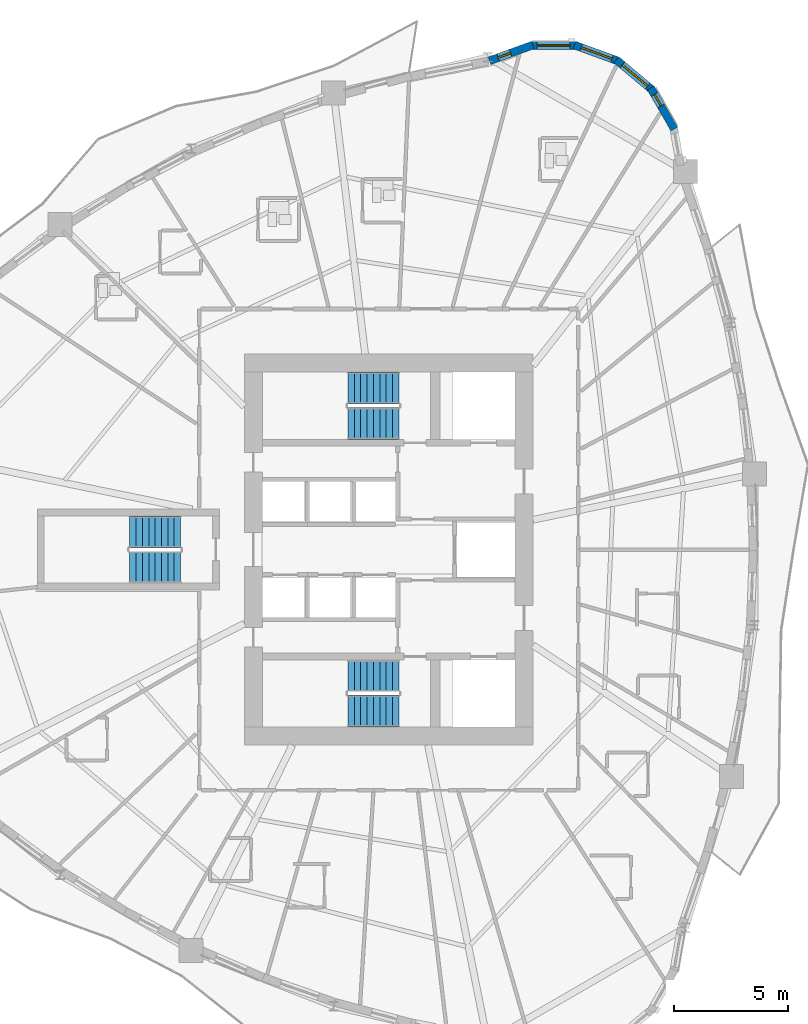
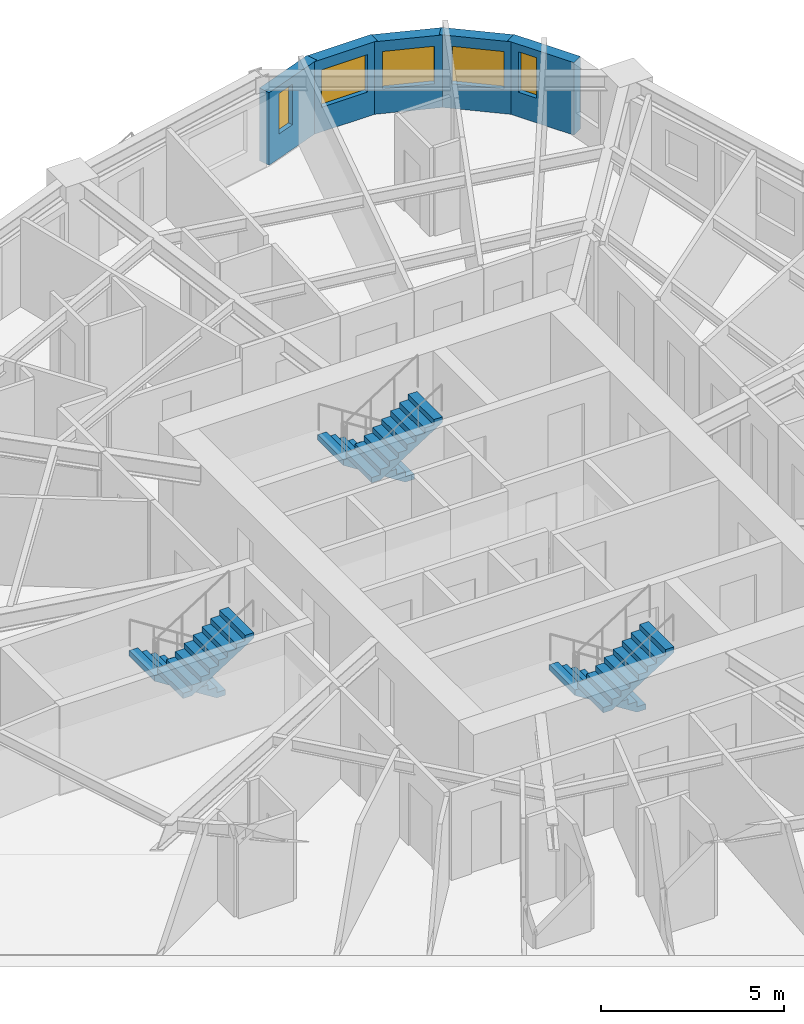
# One storey, part 10 of 14: 6 stair flights, 5 walls, 5 windows, 5 openings, 3 elements without a shape of their own.
"""IFC4 building model written with IfcOpenShell, lengths in metres."""

from ifc_helpers import new_model, si_unit, direction, frame, frame_2d, origin, place, context, subcontext, project, spatial, polyline, rectangle, outline, extrude, source, transform, mapped, material, layer, layer_set, type_object, element, fill, aggregate, save


model = new_model("IFC4")

# Units and contexts
model_context = context("Model", 3, precision=1e-05, world=origin(), true_north=direction((0.0, 1.0)))
body_context = subcontext(model_context, "Body", "Model", "MODEL_VIEW")
ifc_project = project(units=[si_unit("LENGTHUNIT", "METRE"), si_unit("AREAUNIT", "SQUARE_METRE"), si_unit("VOLUMEUNIT", "CUBIC_METRE"), si_unit("PLANEANGLEUNIT", "RADIAN"), si_unit("MASSUNIT", "GRAM", prefix="KILO")], contexts=[model_context])

# Site, building, storey
site_placement = place(None, origin())
site = spatial("IfcSite", under=ifc_project, at=site_placement, CompositionType="ELEMENT")
building_placement = place(site_placement, origin())
building = spatial("IfcBuilding", under=site, at=building_placement, Name="Qafzar Sky-Pleat Residences", CompositionType="ELEMENT")
storey_placement = place(building_placement, frame((0.0, 0.0, 14.199951171875)))
storey = spatial("IfcBuildingStorey", under=building, at=storey_placement, Name="L03", CompositionType="ELEMENT", Elevation=14.199951171875)

# Wall, opening, window
ifc_material_1 = material(Name="Precast concrete C40/50 with honed Riyadh limestone", Category="concrete")
ifc_layer = layer(ifc_material_1, 0.35009765625)
ifc_layer_set = layer_set([ifc_layer], Name="Precast concrete C40/50 with honed Riyadh limestone")
wall_type = type_object("IfcWallType", Name="WALL-EXT-350", PredefinedType="SOLIDWALL", material=ifc_layer_set)
wall_1_placement = place(storey_placement, frame((42.91748046875, 44.490966796875, 0.0), z_axis=(0.0, 0.0, 1.0), x_axis=(-0.49990781971, 0.866078617559, 0.0)))
wall_1 = element("IfcWall", 1, at=wall_1_placement, inside=storey, type_object=wall_type, Name="L03 Limestone Facade Wall 34", PredefinedType="SOLIDWALL", context=body_context, shape_type="SweptSolid", body=[
    extrude(rectangle(XDim=2.09033203125, YDim=0.35009765625, at=frame_2d((1.045166015625, 0.0))), origin(), (0.0, 0.0, 1.0), 2.420166015625),
])
opening_1_placement = place(wall_1_placement, frame((1.17529296875, 0.0, 0.820068359375)))
opening_1 = element("IfcOpeningElement", 2, at=opening_1_placement, cuts=wall_1, Name="Opening WN-17", PredefinedType="OPENING", context=body_context, shape_type="SweptSolid", body=[
    extrude(rectangle(XDim=0.580078125, YDim=1.35009765625, at=frame_2d((0.2900390625, 0.675048828125))), frame((0.0, 0.18505859375, 0.0), z_axis=(0.0, -1.0, 0.0), x_axis=(1.0, 0.0, 0.0)), (0.0, 0.0, 1.0), 0.3701171875),
])
ifc_material_2 = material(Name="Solar-control low-E glass in bronze aluminium frame", Category="glass")
window_type_1 = type_object("IfcWindowType", Name="WIN-17", PartitioningType="SINGLE_PANEL", PredefinedType="WINDOW", material=ifc_material_2)
shared_shape_1 = source(origin(), body_context, "Body", "SweptSolid", [
    extrude(rectangle(XDim=0.580078125, YDim=1.35009765625, at=frame_2d((0.2900390625, 0.675048828125))), frame((0.0, 0.030029296875, 0.0), z_axis=(0.0, -1.0, 0.0), x_axis=(1.0, 0.0, 0.0)), (0.0, 0.0, 1.0), 0.06005859375),
])
window_1_placement = place(opening_1_placement, origin())
window_1 = element("IfcWindow", 3, at=window_1_placement, inside=storey, type_object=window_type_1, Name="L03 Punched Facade Window 34-2", OverallHeight=1.35009765625, OverallWidth=0.580078125, PartitioningType="SINGLE_PANEL", PredefinedType="WINDOW", context=body_context, shape_type="MappedRepresentation", body=[
    mapped(shared_shape_1, transform((0.0, 0.0, 0.0), x_axis=(1.0, 0.0, 0.0), y_axis=(0.0, 1.0, 0.0), z_axis=(0.0, 0.0, 1.0), scale=1.0)),
])
fill(opening_1, window_1)

wall_2_placement = place(storey_placement, frame((41.959716796875, 46.197509765625, 0.0), z_axis=(0.0, 0.0, 1.0), x_axis=(-0.766082082368, 0.642742750308, 0.0)))
wall_2 = element("IfcWall", 4, at=wall_2_placement, inside=storey, type_object=wall_type, Name="L03 Limestone Facade Wall 35", PredefinedType="SOLIDWALL", context=body_context, shape_type="SweptSolid", body=[
    extrude(rectangle(XDim=2.09033203125, YDim=0.35009765625, at=frame_2d((1.045166015625, 0.0))), origin(), (0.0, 0.0, 1.0), 2.420166015625),
])
opening_2_placement = place(wall_2_placement, frame((0.287353515625, 0.0, 0.820068359375)))
opening_2 = element("IfcOpeningElement", 5, at=opening_2_placement, cuts=wall_2, Name="Opening WN-15", PredefinedType="OPENING", context=body_context, shape_type="SweptSolid", body=[
    extrude(rectangle(XDim=1.449951171875, YDim=1.25, at=frame_2d((0.72509765625, 0.625))), frame((0.0, 0.18505859375, 0.0), z_axis=(0.0, -1.0, 0.0), x_axis=(1.0, 0.0, 0.0)), (0.0, 0.0, 1.0), 0.3701171875),
])
window_type_2 = type_object("IfcWindowType", Name="WIN-15", PartitioningType="SINGLE_PANEL", PredefinedType="WINDOW", material=ifc_material_2)
shared_shape_2 = source(origin(), body_context, "Body", "SweptSolid", [
    extrude(rectangle(XDim=1.449951171875, YDim=1.25, at=frame_2d((0.72509765625, 0.625))), frame((0.0, 0.030029296875, 0.0), z_axis=(0.0, -1.0, 0.0), x_axis=(1.0, 0.0, 0.0)), (0.0, 0.0, 1.0), 0.06005859375),
])
window_2_placement = place(opening_2_placement, origin())
window_2 = element("IfcWindow", 6, at=window_2_placement, inside=storey, type_object=window_type_2, Name="L03 Punched Facade Window 35", OverallHeight=1.25, OverallWidth=1.449951171875, PartitioningType="SINGLE_PANEL", PredefinedType="WINDOW", context=body_context, shape_type="MappedRepresentation", body=[
    mapped(shared_shape_2, transform((0.0, 0.0, 0.0), x_axis=(1.0, 0.0, 0.0), y_axis=(0.0, 1.0, 0.0), z_axis=(0.0, 0.0, 1.0), scale=1.0)),
])
fill(opening_2, window_2)

wall_3_placement = place(storey_placement, frame((40.475830078125, 47.47314453125, 0.0), z_axis=(0.0, 0.0, 1.0), x_axis=(-0.939660353162, 0.342108784886, 0.0)))
wall_3 = element("IfcWall", 7, at=wall_3_placement, inside=storey, type_object=wall_type, Name="L03 Limestone Facade Wall 36", PredefinedType="SOLIDWALL", context=body_context, shape_type="SweptSolid", body=[
    extrude(rectangle(XDim=2.09033203125, YDim=0.35009765625, at=frame_2d((1.045166015625, 0.0))), origin(), (0.0, 0.0, 1.0), 2.420166015625),
])
opening_3_placement = place(wall_3_placement, frame((0.3203125, 0.0, 0.820068359375)))
opening_3 = element("IfcOpeningElement", 8, at=opening_3_placement, cuts=wall_3, Name="Opening WN-15", PredefinedType="OPENING", context=body_context, shape_type="SweptSolid", body=[
    extrude(rectangle(XDim=1.449951171875, YDim=1.25, at=frame_2d((0.72509765625, 0.625))), frame((0.0, 0.18505859375, 0.0), z_axis=(0.0, -1.0, 0.0), x_axis=(1.0, 0.0, 0.0)), (0.0, 0.0, 1.0), 0.3701171875),
])
window_3_placement = place(opening_3_placement, origin())
window_3 = element("IfcWindow", 9, at=window_3_placement, inside=storey, type_object=window_type_2, Name="L03 Punched Facade Window 36", OverallHeight=1.25, OverallWidth=1.449951171875, PartitioningType="SINGLE_PANEL", PredefinedType="WINDOW", context=body_context, shape_type="MappedRepresentation", body=[
    mapped(shared_shape_2, transform((0.0, 0.0, 0.0), x_axis=(1.0, 0.0, 0.0), y_axis=(0.0, 1.0, 0.0), z_axis=(0.0, 0.0, 1.0), scale=1.0)),
])
fill(opening_3, window_3)

wall_4_placement = place(storey_placement, frame((38.645263671875, 48.16455078125, 0.0), z_axis=(0.0, 0.0, 1.0), x_axis=(-1.0, 0.0, 0.0)))
wall_4 = element("IfcWall", 10, at=wall_4_placement, inside=storey, type_object=wall_type, Name="L03 Limestone Facade Wall 37", PredefinedType="SOLIDWALL", context=body_context, shape_type="SweptSolid", body=[
    extrude(rectangle(XDim=2.090576171875, YDim=0.35009765625, at=frame_2d((1.04541015625, 0.0))), origin(), (0.0, 0.0, 1.0), 2.420166015625),
])
opening_4_placement = place(wall_4_placement, frame((0.3203125, 0.0, 0.820068359375)))
opening_4 = element("IfcOpeningElement", 11, at=opening_4_placement, cuts=wall_4, Name="Opening WN-15", PredefinedType="OPENING", context=body_context, shape_type="SweptSolid", body=[
    extrude(rectangle(XDim=1.449951171875, YDim=1.25, at=frame_2d((0.72509765625, 0.625))), frame((0.0, 0.18505859375, 0.0), z_axis=(0.0, -1.0, 0.0), x_axis=(1.0, 0.0, 0.0)), (0.0, 0.0, 1.0), 0.3701171875),
])
window_4_placement = place(opening_4_placement, origin())
window_4 = element("IfcWindow", 12, at=window_4_placement, inside=storey, type_object=window_type_2, Name="L03 Punched Facade Window 37", OverallHeight=1.25, OverallWidth=1.449951171875, PartitioningType="SINGLE_PANEL", PredefinedType="WINDOW", context=body_context, shape_type="MappedRepresentation", body=[
    mapped(shared_shape_2, transform((0.0, 0.0, 0.0), x_axis=(1.0, 0.0, 0.0), y_axis=(0.0, 1.0, 0.0), z_axis=(0.0, 0.0, 1.0), scale=1.0)),
])
fill(opening_4, window_4)

wall_5_placement = place(storey_placement, frame((36.6884765625, 48.188232421875, 0.0), z_axis=(0.0, 0.0, 1.0), x_axis=(-0.939653047052, -0.342128851701, 0.0)))
wall_5 = element("IfcWall", 13, at=wall_5_placement, inside=storey, type_object=wall_type, Name="L03 Limestone Facade Wall 38", PredefinedType="SOLIDWALL", context=body_context, shape_type="SweptSolid", body=[
    extrude(rectangle(XDim=2.0322265625, YDim=0.35009765625, at=frame_2d((1.01611328125, 0.0))), origin(), (0.0, 0.0, 1.0), 2.420166015625),
])
opening_5_placement = place(wall_5_placement, frame((1.038818359375, 0.0, 0.820068359375)))
opening_5 = element("IfcOpeningElement", 14, at=opening_5_placement, cuts=wall_5, Name="Opening WN-17", PredefinedType="OPENING", context=body_context, shape_type="SweptSolid", body=[
    extrude(rectangle(XDim=0.580078125, YDim=1.35009765625, at=frame_2d((0.2900390625, 0.675048828125))), frame((0.0, 0.18505859375, 0.0), z_axis=(0.0, -1.0, 0.0), x_axis=(1.0, 0.0, 0.0)), (0.0, 0.0, 1.0), 0.3701171875),
])
window_5_placement = place(opening_5_placement, origin())
window_5 = element("IfcWindow", 15, at=window_5_placement, inside=storey, type_object=window_type_1, Name="L03 Punched Facade Window 38-2", OverallHeight=1.35009765625, OverallWidth=0.580078125, PartitioningType="SINGLE_PANEL", PredefinedType="WINDOW", context=body_context, shape_type="MappedRepresentation", body=[
    mapped(shared_shape_1, transform((0.0, 0.0, 0.0), x_axis=(1.0, 0.0, 0.0), y_axis=(0.0, 1.0, 0.0), z_axis=(0.0, 0.0, 1.0), scale=1.0)),
])
fill(opening_5, window_5)

# Stair, stair flights
ifc_material_3 = material(Name="Concrete C40/50", Category="concrete")
stair_type = type_object("IfcStairType", Name="STAIR-H320", PredefinedType="HALF_TURN_STAIR", material=ifc_material_3)
stair_1_placement = place(storey_placement, origin())
stair_1 = element("IfcStair", 16, at=stair_1_placement, inside=storey, type_object=stair_type, Name="L03 Protected Exit Stair ST1", PredefinedType="HALF_TURN_STAIR")
stair_flight_type = type_object("IfcStairFlightType", Name="FLIGHT-H320", PredefinedType="STRAIGHT", material=ifc_material_3)
shared_shape_3 = source(origin(), body_context, "Body", "SweptSolid", [
    extrude(outline(polyline([(0.0, 0.0), (0.0, 0.177734375), (0.280029296875, 0.177734375), (0.280029296875, 0.35546875), (0.56005859375, 0.35546875), (0.56005859375, 0.533447265625), (0.840087890625, 0.533447265625), (0.840087890625, 0.711181640625), (1.1201171875, 0.711181640625), (1.1201171875, 0.888916015625), (1.39990234375, 0.888916015625), (1.39990234375, 1.066650390625), (1.679931640625, 1.066650390625), (1.679931640625, 1.244384765625), (1.9599609375, 1.244384765625), (1.9599609375, 1.422119140625), (2.239990234375, 1.422119140625), (2.239990234375, 1.60009765625), (2.239990234375, 1.24462890625), (0.27978515625, 0.0), (0.0, 0.0)])), frame((0.0, 0.699951171875, 0.0), z_axis=(0.0, -1.0, 0.0), x_axis=(1.0, 0.0, 0.0)), (0.0, 0.0, 1.0), 1.39990234375),
])
stair_flight_1_placement = place(storey_placement, frame((30.800048828125, 20.449951171875, 0.0), z_axis=(0.0, 0.0, 1.0), x_axis=(-1.0, 0.0, 0.0)))
stair_flight_1 = element("IfcStairFlight", 17, at=stair_flight_1_placement, type_object=stair_flight_type, Name="ST1 flight 1", NumberOfRisers=9, NumberOfTreads=8, PredefinedType="STRAIGHT", RiserHeight=0.177777778, TreadLength=0.28, context=body_context, shape_type="MappedRepresentation", body=[
    mapped(shared_shape_3, transform((0.0, 0.0, 0.0), x_axis=(1.0, 0.0, 0.0), y_axis=(0.0, 1.0, 0.0), z_axis=(0.0, 0.0, 1.0), scale=1.0)),
])
stair_flight_2_placement = place(storey_placement, frame((28.56005859375, 18.89990234375, 1.60009765625), z_axis=(0.0, 0.0, 1.0), x_axis=(1.0, 0.0, 0.0)))
stair_flight_2 = element("IfcStairFlight", 18, at=stair_flight_2_placement, type_object=stair_flight_type, Name="ST1 flight 2", NumberOfRisers=9, NumberOfTreads=8, PredefinedType="STRAIGHT", RiserHeight=0.177777778, TreadLength=0.28, context=body_context, shape_type="MappedRepresentation", body=[
    mapped(shared_shape_3, transform((0.0, 0.0, 0.0), x_axis=(1.0, 0.0, 0.0), y_axis=(0.0, 1.0, 0.0), z_axis=(0.0, 0.0, 1.0), scale=1.0)),
])
aggregate(stair_1, [stair_flight_1, stair_flight_2])

stair_2_placement = place(storey_placement, origin())
stair_2 = element("IfcStair", 19, at=stair_2_placement, inside=storey, type_object=stair_type, Name="L03 Protected Exit Stair ST2", PredefinedType="HALF_TURN_STAIR")
stair_flight_3_placement = place(storey_placement, frame((30.800048828125, 33.10009765625, 0.0), z_axis=(0.0, 0.0, 1.0), x_axis=(-1.0, 0.0, 0.0)))
stair_flight_3 = element("IfcStairFlight", 20, at=stair_flight_3_placement, type_object=stair_flight_type, Name="ST2 flight 1", NumberOfRisers=9, NumberOfTreads=8, PredefinedType="STRAIGHT", RiserHeight=0.177777778, TreadLength=0.28, context=body_context, shape_type="MappedRepresentation", body=[
    mapped(shared_shape_3, transform((0.0, 0.0, 0.0), x_axis=(1.0, 0.0, 0.0), y_axis=(0.0, 1.0, 0.0), z_axis=(0.0, 0.0, 1.0), scale=1.0)),
])
stair_flight_4_placement = place(storey_placement, frame((28.56005859375, 31.550048828125, 1.60009765625), z_axis=(0.0, 0.0, 1.0), x_axis=(1.0, 0.0, 0.0)))
stair_flight_4 = element("IfcStairFlight", 21, at=stair_flight_4_placement, type_object=stair_flight_type, Name="ST2 flight 2", NumberOfRisers=9, NumberOfTreads=8, PredefinedType="STRAIGHT", RiserHeight=0.177777778, TreadLength=0.28, context=body_context, shape_type="MappedRepresentation", body=[
    mapped(shared_shape_3, transform((0.0, 0.0, 0.0), x_axis=(1.0, 0.0, 0.0), y_axis=(0.0, 1.0, 0.0), z_axis=(0.0, 0.0, 1.0), scale=1.0)),
])
aggregate(stair_2, [stair_flight_3, stair_flight_4])

stair_3_placement = place(storey_placement, origin())
stair_3 = element("IfcStair", 22, at=stair_3_placement, inside=storey, type_object=stair_type, Name="L03 Protected Exit Stair ST3", PredefinedType="HALF_TURN_STAIR")
stair_flight_5_placement = place(storey_placement, frame((21.199951171875, 26.77490234375, 0.0), z_axis=(0.0, 0.0, 1.0), x_axis=(-1.0, 0.0, 0.0)))
stair_flight_5 = element("IfcStairFlight", 23, at=stair_flight_5_placement, type_object=stair_flight_type, Name="ST3 flight 1", NumberOfRisers=9, NumberOfTreads=8, PredefinedType="STRAIGHT", RiserHeight=0.177777778, TreadLength=0.28, context=body_context, shape_type="MappedRepresentation", body=[
    mapped(shared_shape_3, transform((0.0, 0.0, 0.0), x_axis=(1.0, 0.0, 0.0), y_axis=(0.0, 1.0, 0.0), z_axis=(0.0, 0.0, 1.0), scale=1.0)),
])
stair_flight_6_placement = place(storey_placement, frame((18.9599609375, 25.22509765625, 1.60009765625), z_axis=(0.0, 0.0, 1.0), x_axis=(1.0, 0.0, 0.0)))
stair_flight_6 = element("IfcStairFlight", 24, at=stair_flight_6_placement, type_object=stair_flight_type, Name="ST3 flight 2", NumberOfRisers=9, NumberOfTreads=8, PredefinedType="STRAIGHT", RiserHeight=0.177777778, TreadLength=0.28, context=body_context, shape_type="MappedRepresentation", body=[
    mapped(shared_shape_3, transform((0.0, 0.0, 0.0), x_axis=(1.0, 0.0, 0.0), y_axis=(0.0, 1.0, 0.0), z_axis=(0.0, 0.0, 1.0), scale=1.0)),
])
aggregate(stair_3, [stair_flight_5, stair_flight_6])

save(model, "model.ifc")
